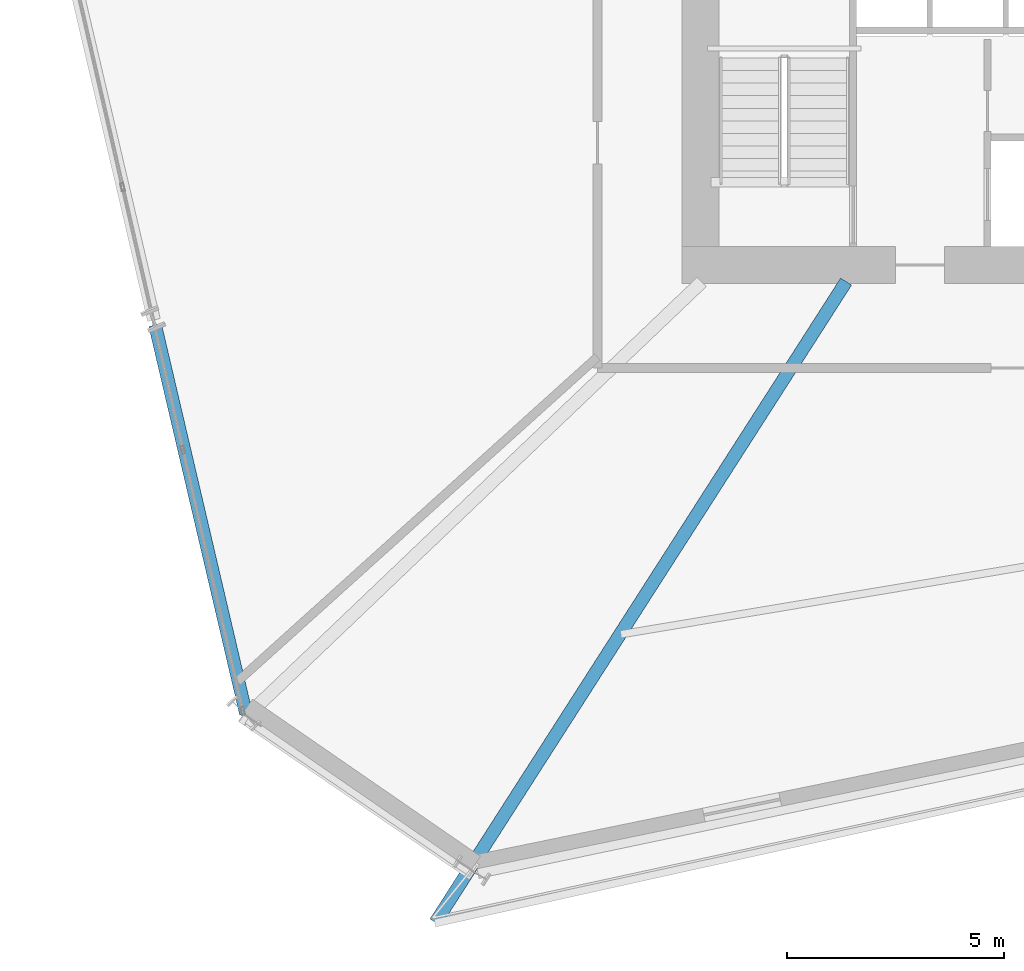
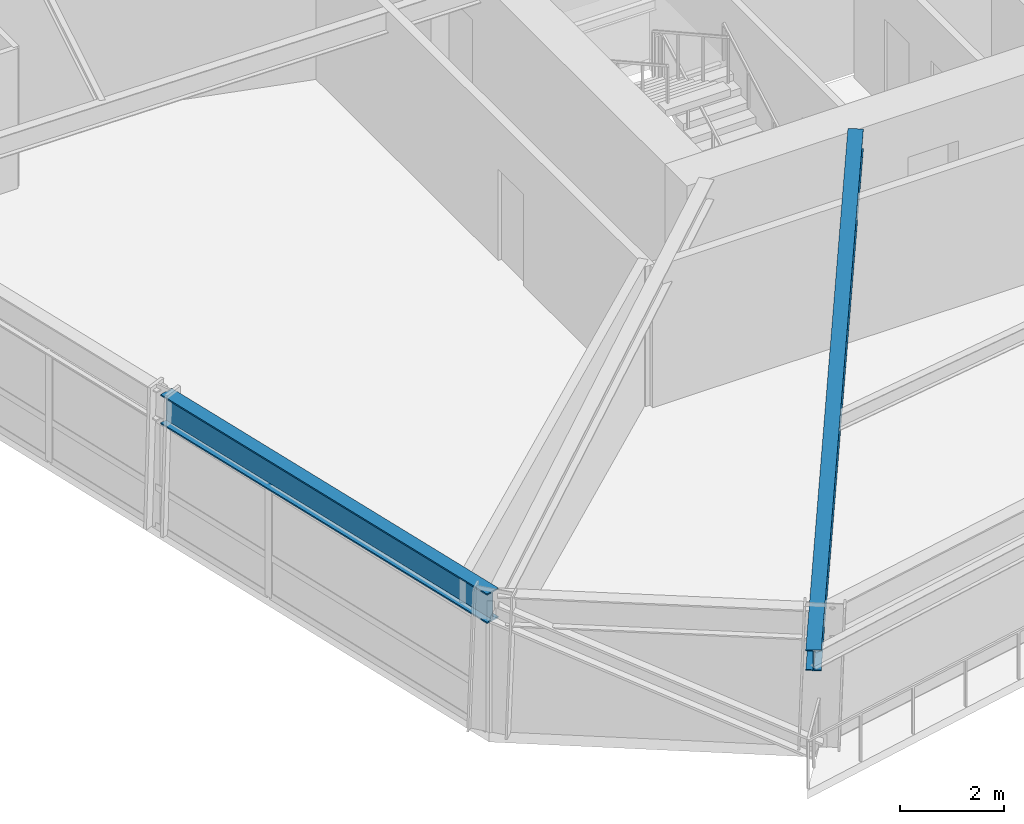
# One storey, part 3 of 23: 2 beams.
"""IFC4 building model written with IfcOpenShell, lengths in metres."""

from ifc_helpers import new_model, si_unit, direction, frame, origin, origin_2d, place, context, subcontext, project, spatial, i_section, extrude, source, transform, mapped, material, material_profile, profile_set, type_object, element, save


model = new_model("IFC4")

# Units and contexts
model_context = context("Model", 3, precision=1e-05, world=origin(), true_north=direction((0.0, 1.0)))
body_context = subcontext(model_context, "Body", "Model", "MODEL_VIEW")
ifc_project = project(units=[si_unit("LENGTHUNIT", "METRE"), si_unit("AREAUNIT", "SQUARE_METRE"), si_unit("VOLUMEUNIT", "CUBIC_METRE"), si_unit("PLANEANGLEUNIT", "RADIAN"), si_unit("MASSUNIT", "GRAM", prefix="KILO")], contexts=[model_context])

# Site, building, storey
site_placement = place(None, origin())
site = spatial("IfcSite", under=ifc_project, at=site_placement, CompositionType="ELEMENT")
building_placement = place(site_placement, origin())
building = spatial("IfcBuilding", under=site, at=building_placement, Name="Olszyna Solenne Hotel", CompositionType="ELEMENT")
storey_placement = place(building_placement, frame((0.0, 0.0, 32.85009765625)))
storey = spatial("IfcBuildingStorey", under=building, at=storey_placement, Name="L07", CompositionType="ELEMENT", Elevation=32.85009765625)

# Beams
ifc_material = material(Name="Steel S355J2", Category="steel")
ifc_material_profile_1 = material_profile(ifc_material, i_section(OverallWidth=0.300048828125, OverallDepth=0.699951171875, WebThickness=0.01708984375, FlangeThickness=0.031982421875, at=origin_2d()), Name="HEB 700", Category="load-bearing")
ifc_profile_set_1 = profile_set([ifc_material_profile_1], Name="Steel S355J2")
beam_type_1 = type_object("IfcBeamType", Name="BM-S1", PredefinedType="BEAM", material=ifc_profile_set_1)
shared_shape_1 = source(origin(), body_context, "Body", "SweptSolid", [
    extrude(i_section(OverallWidth=0.300048828125, OverallDepth=0.699951171875, WebThickness=0.01708984375, FlangeThickness=0.031982421875, at=origin_2d()), origin(), (0.0, 0.0, 1.0), 9.209228515625),
])
beam_1_placement = place(storey_placement, frame((17.094482421875, 17.691162109375, 2.949951171875), z_axis=(0.227780186743, -0.973712579013, 0.0), x_axis=(0.973712579013, 0.227780186743, 0.0)))
element("IfcBeam", 1, at=beam_1_placement, inside=storey, type_object=beam_type_1, Name="Perimeter spandrel beam BM-S1 B-L07-0238", PredefinedType="BEAM", context=body_context, shape_type="MappedRepresentation", body=[
    mapped(shared_shape_1, transform((0.0, 0.0, 0.0), x_axis=(1.0, 0.0, 0.0), y_axis=(0.0, 1.0, 0.0), z_axis=(0.0, 0.0, 1.0), scale=1.0)),
])
ifc_material_profile_2 = material_profile(ifc_material, i_section(OverallWidth=0.300048828125, OverallDepth=0.489990234375, WebThickness=0.011962890625, FlangeThickness=0.02294921875, at=origin_2d()), Name="HEA 500", Category="load-bearing")
ifc_profile_set_2 = profile_set([ifc_material_profile_2], Name="Steel S355J2")
beam_type_2 = type_object("IfcBeamType", Name="BM-G1", PredefinedType="BEAM", material=ifc_profile_set_2)
shared_shape_2 = source(origin(), body_context, "Body", "SweptSolid", [
    extrude(i_section(OverallWidth=0.300048828125, OverallDepth=0.489990234375, WebThickness=0.011962890625, FlangeThickness=0.02294921875, at=origin_2d()), origin(), (0.0, 0.0, 1.0), 17.55859375),
])
beam_2_placement = place(storey_placement, frame((23.56103515625, 3.90966796875, 3.054931640625), z_axis=(0.539625684089, 0.841905054666, 0.0), x_axis=(-0.841905054666, 0.539625684089, 0.0)))
element("IfcBeam", 2, at=beam_2_placement, inside=storey, type_object=beam_type_2, Name="Radial floor girder BM-G1 B-L07-0250", PredefinedType="BEAM", context=body_context, shape_type="MappedRepresentation", body=[
    mapped(shared_shape_2, transform((0.0, 0.0, 0.0), x_axis=(1.0, 0.0, 0.0), y_axis=(0.0, 1.0, 0.0), z_axis=(0.0, 0.0, 1.0), scale=1.0)),
])

save(model, "model.ifc")
